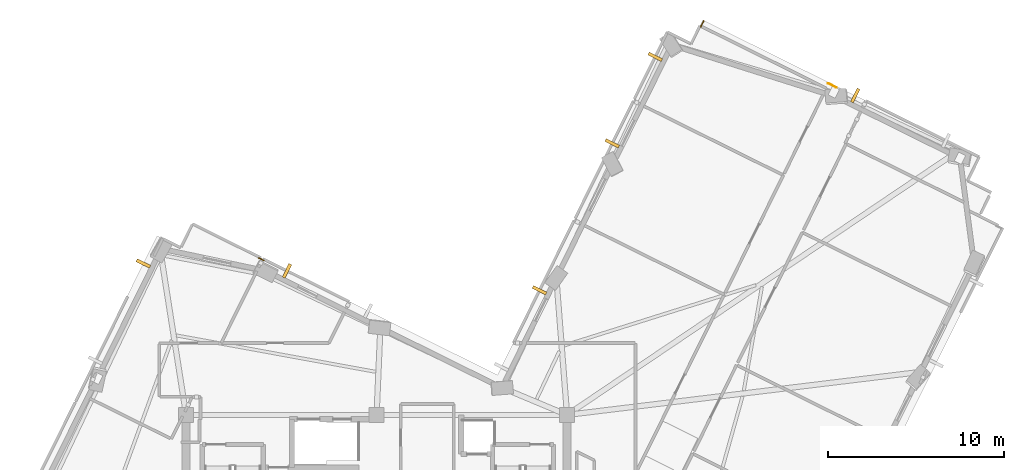
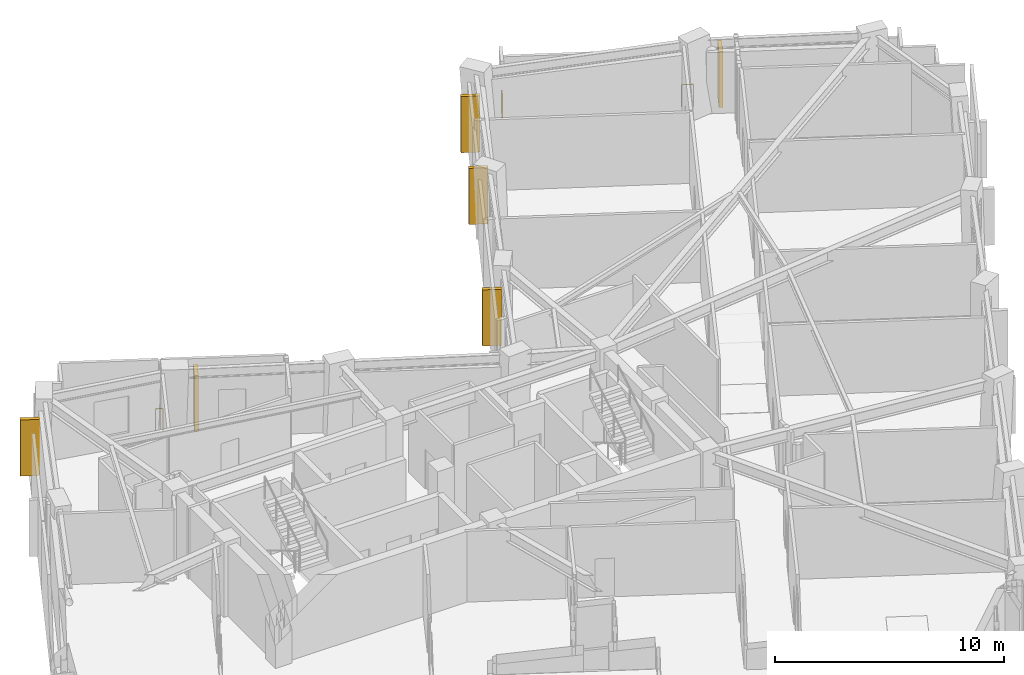
# One storey, part 10 of 11: 6 shading devices, 3 railings.
"""IFC4 building model written with IfcOpenShell, lengths in metres."""

from ifc_helpers import new_model, si_unit, direction, frame, origin, origin_2d, place, context, subcontext, project, spatial, rectangle, circle, extrude, material, layer, layer_set, type_object, element, save


model = new_model("IFC4")

# Units and contexts
model_context = context("Model", 3, precision=1e-05, world=origin(), true_north=direction((0.0, 1.0)))
body_context = subcontext(model_context, "Body", "Model", "MODEL_VIEW")
ifc_project = project(units=[si_unit("LENGTHUNIT", "METRE"), si_unit("AREAUNIT", "SQUARE_METRE"), si_unit("VOLUMEUNIT", "CUBIC_METRE"), si_unit("PLANEANGLEUNIT", "RADIAN"), si_unit("MASSUNIT", "GRAM", prefix="KILO")], contexts=[model_context])

# Site, building, storey
site_placement = place(None, origin())
site = spatial("IfcSite", under=ifc_project, at=site_placement, CompositionType="ELEMENT")
building_placement = place(site_placement, origin())
building = spatial("IfcBuilding", under=site, at=building_placement, Name="Gaonmaruhae Medical Tower", CompositionType="ELEMENT")
storey_placement = place(building_placement, frame((0.0, 0.0, 296.60009765625)))
storey = spatial("IfcBuildingStorey", under=building, at=storey_placement, Name="L71", CompositionType="ELEMENT", Elevation=296.60009765625)

# Railings
ifc_material_1 = material(Name="Stainless steel 316L and laminated safety glass", Category="steel")
ifc_layer = layer(ifc_material_1, 0.080078125)
ifc_layer_set = layer_set([ifc_layer], Name="Stainless steel 316L and laminated safety glass")
railing_type = type_object("IfcRailingType", Name="GD-120 Outdoor Terrace Safety Glass & Steel Balustrade", PredefinedType="BALUSTRADE", material=ifc_layer_set)
railing_1_placement = place(storey_placement, frame((18.099609375, 25.703857421875, 0.0)))
element("IfcRailing", 1, at=railing_1_placement, inside=storey, type_object=railing_type, Name="L71 Perimeter Slab Edge Safety Balustrade 01", PredefinedType="BALUSTRADE", context=body_context, shape_type="SweptSolid", body=[
    extrude(circle(Radius=0.02392578125, at=origin_2d()), frame((0.0, 0.0, 1.17578125), z_axis=(0.896007421265, -0.444039076025, 0.0), x_axis=(0.444039076025, 0.896007421265, 0.0)), (0.0, 0.0, 1.0), 0.338623046875),
    extrude(circle(Radius=0.02099609375, at=origin_2d()), origin(), (0.0, 0.0, 1.0), 1.15185546875),
    extrude(circle(Radius=0.02099609375, at=origin_2d()), frame((0.303466796875, -0.150390625, 0.0)), (0.0, 0.0, 1.0), 1.15185546875),
])
railing_2_placement = place(storey_placement, frame((43.174560546875, 38.79052734375, 0.0)))
element("IfcRailing", 2, at=railing_2_placement, inside=storey, type_object=railing_type, Name="L71 Perimeter Slab Edge Safety Balustrade 02", PredefinedType="BALUSTRADE", context=body_context, shape_type="SweptSolid", body=[
    extrude(circle(Radius=0.02392578125, at=origin_2d()), frame((0.0, 0.0, 1.17578125), z_axis=(0.443734813924, 0.896158141687, 0.0), x_axis=(-0.896158141687, 0.443734813924, 0.0)), (0.0, 0.0, 1.0), 0.393310546875),
    extrude(circle(Radius=0.02099609375, at=origin_2d()), origin(), (0.0, 0.0, 1.0), 1.15185546875),
    extrude(circle(Radius=0.02099609375, at=origin_2d()), frame((0.174560546875, 0.3525390625, 0.0)), (0.0, 0.0, 1.0), 1.15185546875),
])
railing_3_placement = place(storey_placement, frame((50.393310546875, 35.59814453125, 0.0)))
element("IfcRailing", 3, at=railing_3_placement, inside=storey, type_object=railing_type, Name="L71 Perimeter Slab Edge Safety Balustrade 03", PredefinedType="BALUSTRADE", context=body_context, shape_type="SweptSolid", body=[
    extrude(circle(Radius=0.02392578125, at=origin_2d()), frame((0.0, 0.0, 1.17578125), z_axis=(0.896120432567, -0.443810962388, 0.0), x_axis=(0.443810962388, 0.896120432567, 0.0)), (0.0, 0.0, 1.0), 0.51708984375),
    extrude(circle(Radius=0.02099609375, at=origin_2d()), origin(), (0.0, 0.0, 1.0), 1.15185546875),
    extrude(circle(Radius=0.02099609375, at=origin_2d()), frame((0.46337890625, -0.2294921875, 0.0)), (0.0, 0.0, 1.0), 1.15185546875),
])

# Shading devices
ifc_material_2 = material(Name="Pigmented coral precast concrete C45/55", Category="concrete")
shading_device_type = type_object("IfcShadingDeviceType", Name="SD-FIN1 Tower Vertical Coral Precast Shading Fin", PredefinedType="USERDEFINED", material=ifc_material_2)
for number, where, z_axis, x_axis, name in (
    (4, (51.93896484375, 34.9052734375, 0.13232421875), (0.0, 0.0, 1.0), (0.896091689682, -0.443868993829, 0.0), "L71 Vertical Coral Precast Shading Fin E01"),
    (5, (38.162109375, 32.19677734375, 0.13232421875), (0.0, 0.0, 1.0), (0.443853354011, 0.896099436521, 0.0), "L71 Vertical Coral Precast Shading Fin E03"),
    (6, (40.59423828125, 37.107177734375, 0.13232421875), (0.0, 0.0, 1.0), (0.443853354011, 0.896099436521, 0.0), "L71 Vertical Coral Precast Shading Fin E03B"),
    (7, (34.038818359375, 23.872314453125, 0.13232421875), (0.0, 0.0, 1.0), (0.443853354011, 0.896099436521, 0.0), "L71 Vertical Coral Precast Shading Fin EN02B"),
    (8, (19.721435546875, 24.97314453125, 0.13232421875), (0.0, 0.0, 1.0), (0.896099436521, -0.443853354011, 0.0), "L71 Vertical Coral Precast Shading Fin NE01"),
    (9, (11.57568359375, 25.3837890625, 0.13232421875), (0.0, 0.0, 1.0), (0.443853354011, 0.896099436521, 0.0), "L71 Vertical Coral Precast Shading Fin N01B"),
):
    element("IfcShadingDevice", number, at=place(storey_placement, frame(where, z_axis=z_axis, x_axis=x_axis)), inside=storey, type_object=shading_device_type, Name=name, ObjectType="FIN", PredefinedType="USERDEFINED", context=body_context, shape_type="SweptSolid", body=[
        extrude(rectangle(XDim=0.179931640625, YDim=0.85009765625, at=origin_2d()), origin(), (0.0, 0.0, 1.0), 3.0),
    ])

save(model, "model.ifc")
